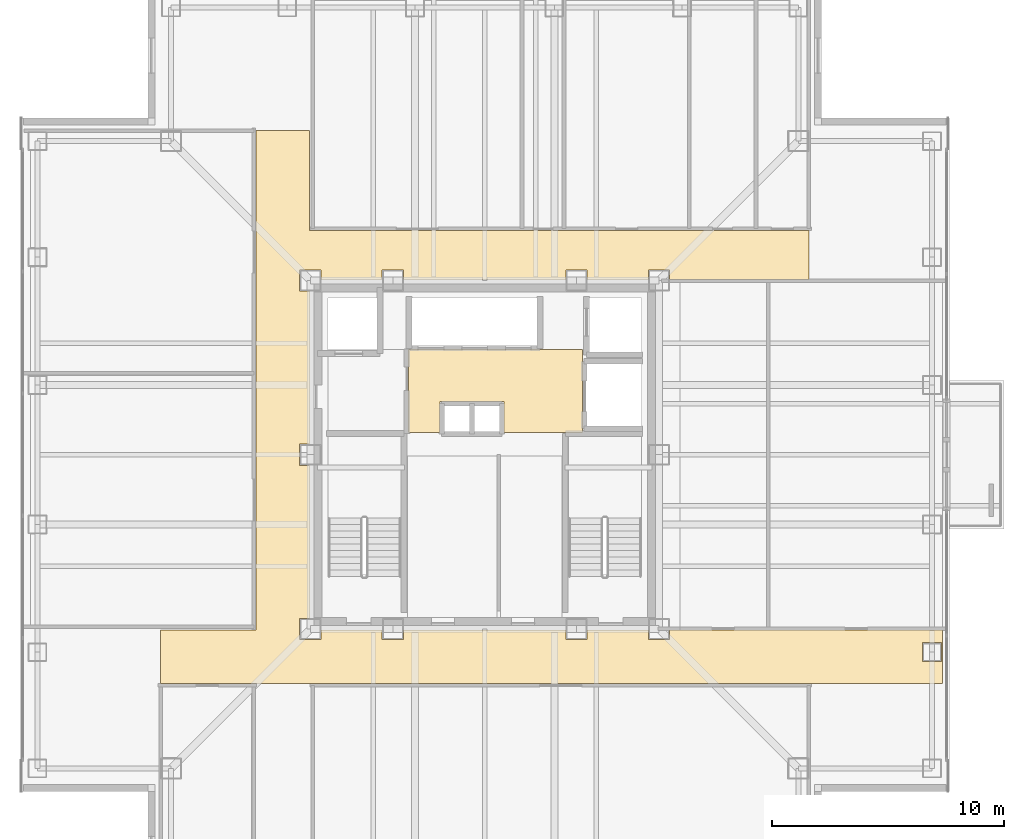
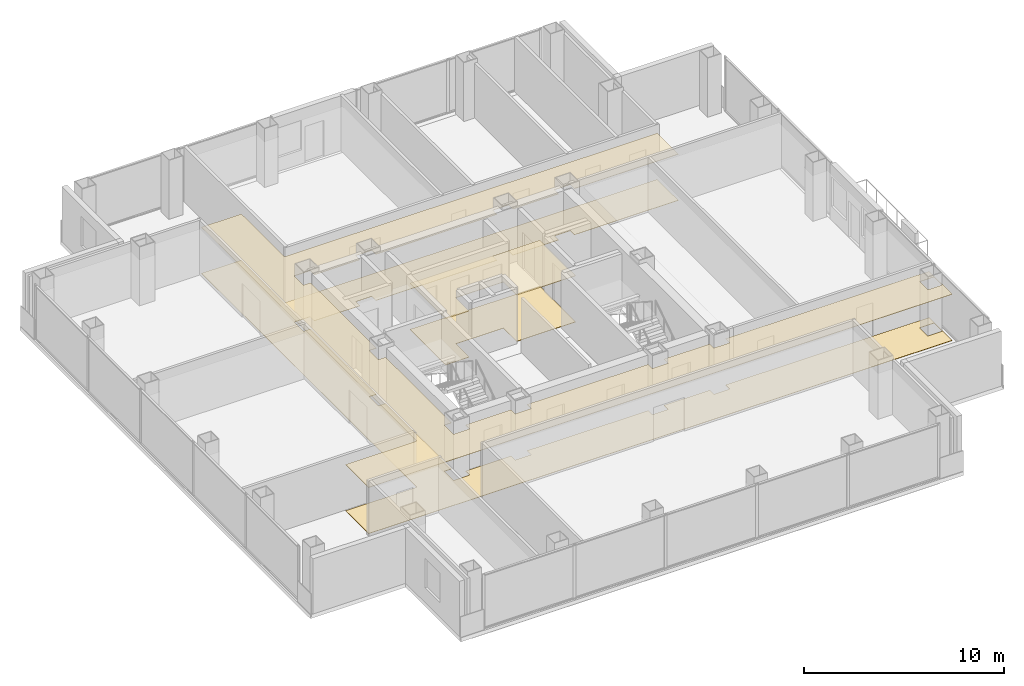
# One storey, part 15 of 17: 4 coverings.
"""IFC4 building model written with IfcOpenShell, lengths in metres."""

from ifc_helpers import new_model, si_unit, direction, frame, origin, place, context, subcontext, project, spatial, polyline, outline, extrude, material, layer, layer_set, type_object, element, save


model = new_model("IFC4")

# Units and contexts
model_context = context("Model", 3, precision=1e-05, world=origin(), true_north=direction((0.0, 1.0)))
body_context = subcontext(model_context, "Body", "Model", "MODEL_VIEW")
ifc_project = project(units=[si_unit("LENGTHUNIT", "METRE"), si_unit("AREAUNIT", "SQUARE_METRE"), si_unit("VOLUMEUNIT", "CUBIC_METRE"), si_unit("PLANEANGLEUNIT", "RADIAN"), si_unit("MASSUNIT", "GRAM", prefix="KILO")], contexts=[model_context])

# Site, building, storey
site_placement = place(None, origin())
site = spatial("IfcSite", under=ifc_project, at=site_placement, CompositionType="ELEMENT")
building_placement = place(site_placement, origin())
building = spatial("IfcBuilding", under=site, at=building_placement, Name="Trevonay Congress Spire", CompositionType="ELEMENT")
storey_placement = place(building_placement, frame((0.0, 0.0, 187.800048828125)))
storey = spatial("IfcBuildingStorey", under=building, at=storey_placement, Name="L48", CompositionType="ELEMENT", Elevation=187.800048828125)

# Coverings
ifc_material_1 = material(Name="Acoustic Mineral Fibre Board", Category="gypsum")
ifc_layer_1 = layer(ifc_material_1, 0.02490234375, Name="Acoustic Mineral Fibre Board")
ifc_layer_set_1 = layer_set([ifc_layer_1], Name="Acoustic Mineral Fibre Board")
covering_type_1 = type_object("IfcCoveringType", Name="COV-CEIL-ACOUSTIC", PredefinedType="CEILING", material=ifc_layer_set_1)
covering_1_placement = place(storey_placement, frame((0.0, 0.0, 2.81005859375)))
element("IfcCovering", 1, at=covering_1_placement, inside=storey, type_object=covering_type_1, Name="L48 Central and High-Rise Passenger Lift Lobby acoustic suspended ceiling", PredefinedType="CEILING", context=body_context, shape_type="SweptSolid", body=[
    extrude(outline(polyline([(-3.280029296875, 0.949951171875), (-1.919921875, 0.949951171875), (-1.919921875, 2.280029296875), (0.820068359375, 2.280029296875), (0.820068359375, 0.949951171875), (4.219970703125, 0.949951171875), (4.219970703125, 4.52001953125), (-3.280029296875, 4.52001953125), (-3.280029296875, 0.949951171875)])), origin(), (0.0, 0.0, 1.0), 0.02490234375),
])
covering_2_placement = place(storey_placement, frame((0.0, 0.0, 2.81005859375)))
element("IfcCovering", 2, at=covering_2_placement, inside=storey, type_object=covering_type_1, Name="L48 Cruciform Boulevard Corridor acoustic suspended ceiling", PredefinedType="CEILING", context=body_context, shape_type="SweptSolid", body=[
    extrude(outline(polyline([(19.699951171875, -7.550048828125), (19.699951171875, -9.85009765625), (-13.949951171875, -9.85009765625), (-13.949951171875, -7.550048828125), (-9.85009765625, -7.550048828125), (-9.85009765625, 13.949951171875), (-7.550048828125, 13.949951171875), (-7.550048828125, 9.64990234375), (13.949951171875, 9.64990234375), (13.949951171875, 7.550048828125), (7.9599609375, 7.550048828125), (7.9599609375, 7.9599609375), (7.0400390625, 7.9599609375), (7.0400390625, 7.550048828125), (4.409912109375, 7.550048828125), (4.409912109375, 7.9599609375), (3.489990234375, 7.9599609375), (3.489990234375, 7.550048828125), (-3.489990234375, 7.550048828125), (-3.489990234375, 7.9599609375), (-4.409912109375, 7.9599609375), (-4.409912109375, 7.550048828125), (-7.0400390625, 7.550048828125), (-7.0400390625, 7.9599609375), (-7.9599609375, 7.9599609375), (-7.9599609375, 7.0400390625), (-7.550048828125, 7.0400390625), (-7.550048828125, 0.4599609375), (-7.9599609375, 0.4599609375), (-7.9599609375, -0.4599609375), (-7.550048828125, -0.4599609375), (-7.550048828125, -7.0400390625), (-7.9599609375, -7.0400390625), (-7.9599609375, -7.9599609375), (-7.0400390625, -7.9599609375), (-7.0400390625, -7.550048828125), (-4.409912109375, -7.550048828125), (-4.409912109375, -7.9599609375), (-3.489990234375, -7.9599609375), (-3.489990234375, -7.550048828125), (3.489990234375, -7.550048828125), (3.489990234375, -7.9599609375), (4.409912109375, -7.9599609375), (4.409912109375, -7.550048828125), (7.0400390625, -7.550048828125), (7.0400390625, -7.9599609375), (7.9599609375, -7.9599609375), (7.9599609375, -7.550048828125), (19.699951171875, -7.550048828125)]), holes=[polyline([(19.659912109375, -8.090087890625), (18.840087890625, -8.090087890625), (18.840087890625, -8.909912109375), (19.659912109375, -8.909912109375), (19.659912109375, -8.090087890625)])]), origin(), (0.0, 0.0, 1.0), 0.02490234375),
])
ifc_material_2 = material(Name="Polished Granite Floor Tile", Category="masonry")
ifc_layer_2 = layer(ifc_material_2, 0.02001953125, Name="Polished Granite Floor Tile")
ifc_layer_set_2 = layer_set([ifc_layer_2], Name="Polished Granite Floor Tile")
covering_type_2 = type_object("IfcCoveringType", Name="COV-FLOOR-STONE", PredefinedType="FLOORING", material=ifc_layer_set_2)
covering_3_placement = place(storey_placement, origin())
element("IfcCovering", 3, at=covering_3_placement, inside=storey, type_object=covering_type_2, Name="L48 Central and High-Rise Passenger Lift Lobby floor finish", PredefinedType="FLOORING", context=body_context, shape_type="SweptSolid", body=[
    extrude(outline(polyline([(-3.280029296875, 0.949951171875), (-1.919921875, 0.949951171875), (-1.919921875, 2.280029296875), (0.820068359375, 2.280029296875), (0.820068359375, 0.949951171875), (4.219970703125, 0.949951171875), (4.219970703125, 4.52001953125), (-3.280029296875, 4.52001953125), (-3.280029296875, 0.949951171875)])), origin(), (0.0, 0.0, 1.0), 0.02001953125),
])
covering_4_placement = place(storey_placement, origin())
element("IfcCovering", 4, at=covering_4_placement, inside=storey, type_object=covering_type_2, Name="L48 Cruciform Boulevard Corridor floor finish", PredefinedType="FLOORING", context=body_context, shape_type="SweptSolid", body=[
    extrude(outline(polyline([(19.699951171875, -7.550048828125), (19.699951171875, -9.85009765625), (-13.949951171875, -9.85009765625), (-13.949951171875, -7.550048828125), (-9.85009765625, -7.550048828125), (-9.85009765625, 13.949951171875), (-7.550048828125, 13.949951171875), (-7.550048828125, 9.64990234375), (13.949951171875, 9.64990234375), (13.949951171875, 7.550048828125), (7.9599609375, 7.550048828125), (7.9599609375, 7.9599609375), (7.0400390625, 7.9599609375), (7.0400390625, 7.550048828125), (4.409912109375, 7.550048828125), (4.409912109375, 7.9599609375), (3.489990234375, 7.9599609375), (3.489990234375, 7.550048828125), (-3.489990234375, 7.550048828125), (-3.489990234375, 7.9599609375), (-4.409912109375, 7.9599609375), (-4.409912109375, 7.550048828125), (-7.0400390625, 7.550048828125), (-7.0400390625, 7.9599609375), (-7.9599609375, 7.9599609375), (-7.9599609375, 7.0400390625), (-7.550048828125, 7.0400390625), (-7.550048828125, 0.4599609375), (-7.9599609375, 0.4599609375), (-7.9599609375, -0.4599609375), (-7.550048828125, -0.4599609375), (-7.550048828125, -7.0400390625), (-7.9599609375, -7.0400390625), (-7.9599609375, -7.9599609375), (-7.0400390625, -7.9599609375), (-7.0400390625, -7.550048828125), (-4.409912109375, -7.550048828125), (-4.409912109375, -7.9599609375), (-3.489990234375, -7.9599609375), (-3.489990234375, -7.550048828125), (3.489990234375, -7.550048828125), (3.489990234375, -7.9599609375), (4.409912109375, -7.9599609375), (4.409912109375, -7.550048828125), (7.0400390625, -7.550048828125), (7.0400390625, -7.9599609375), (7.9599609375, -7.9599609375), (7.9599609375, -7.550048828125), (19.699951171875, -7.550048828125)]), holes=[polyline([(19.659912109375, -8.090087890625), (18.840087890625, -8.090087890625), (18.840087890625, -8.909912109375), (19.659912109375, -8.909912109375), (19.659912109375, -8.090087890625)])]), origin(), (0.0, 0.0, 1.0), 0.02001953125),
])

save(model, "model.ifc")
